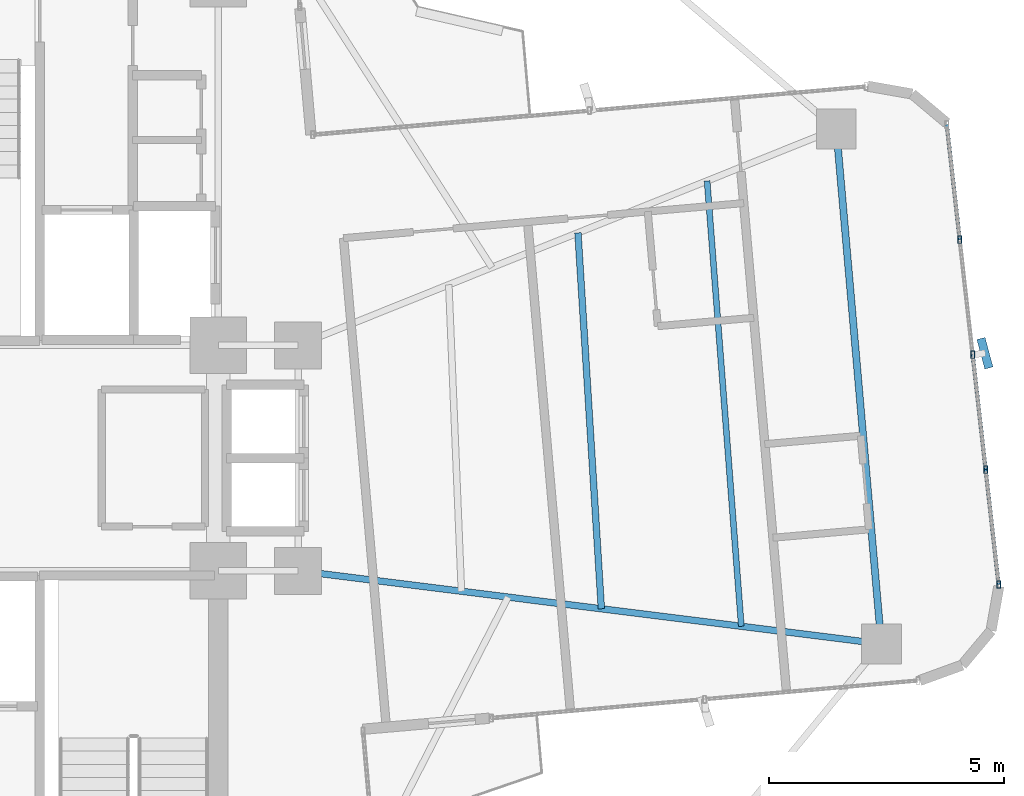
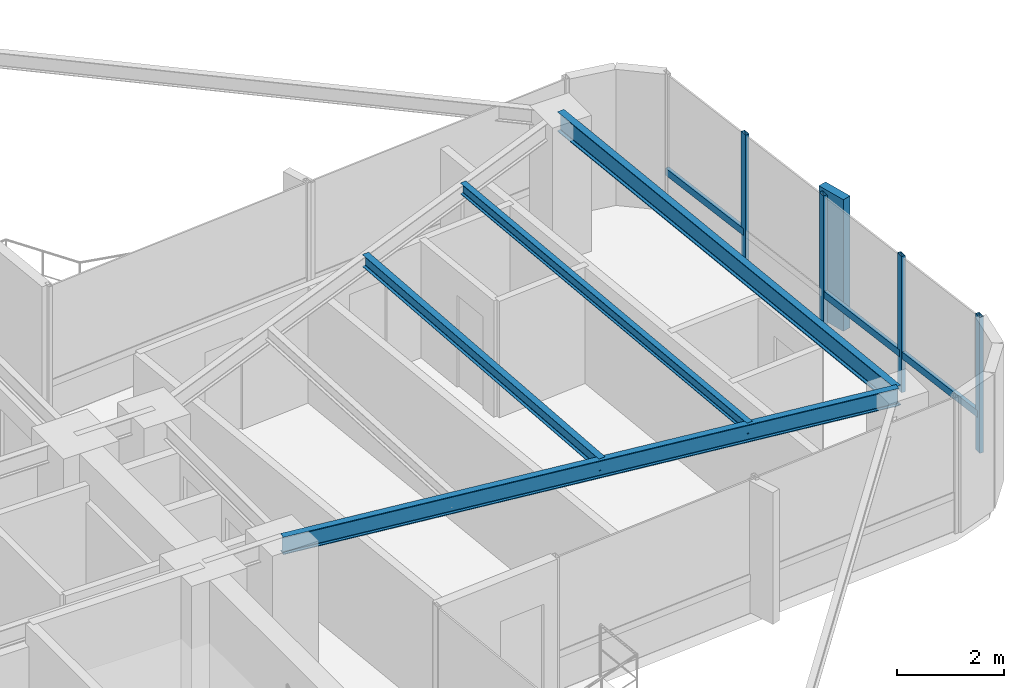
# One storey, part 14 of 24: 8 members, 4 beams, 1 element without a shape of its own.
"""IFC4 building model written with IfcOpenShell, lengths in metres."""

from ifc_helpers import new_model, si_unit, direction, frame, origin, origin_2d, place, context, subcontext, project, spatial, rectangle, hollow_rectangle, i_section, extrude, source, transform, mapped, material, material_profile, profile_set, type_object, element, aggregate, save


model = new_model("IFC4")

# Units and contexts
model_context = context("Model", 3, precision=1e-05, world=origin(), true_north=direction((0.0, 1.0)))
body_context = subcontext(model_context, "Body", "Model", "MODEL_VIEW")
ifc_project = project(units=[si_unit("LENGTHUNIT", "METRE"), si_unit("AREAUNIT", "SQUARE_METRE"), si_unit("VOLUMEUNIT", "CUBIC_METRE"), si_unit("PLANEANGLEUNIT", "RADIAN"), si_unit("MASSUNIT", "GRAM", prefix="KILO")], contexts=[model_context])

# Site, building, storey
site_placement = place(None, origin())
site = spatial("IfcSite", under=ifc_project, at=site_placement, CompositionType="ELEMENT")
building_placement = place(site_placement, origin())
building = spatial("IfcBuilding", under=site, at=building_placement, Name="Sahyath Konkavel Grand Hotel", CompositionType="ELEMENT")
storey_placement = place(building_placement, frame((0.0, 0.0, 153.949951171875)))
storey = spatial("IfcBuildingStorey", under=building, at=storey_placement, Name="L42", CompositionType="ELEMENT", Elevation=153.949951171875)

# Beams
ifc_material_1 = material(Name="Steel E350", Category="steel")
ifc_material_profile_1 = material_profile(ifc_material_1, i_section(OverallWidth=0.139892578125, OverallDepth=0.39990234375, WebThickness=0.0087890625, FlangeThickness=0.01611328125, FilletRadius=0.013916015625, at=origin_2d()), Name="ISMB 400")
ifc_profile_set_1 = profile_set([ifc_material_profile_1], Name="Steel E350")
beam_type_1 = type_object("IfcBeamType", Name="BM-ISMB400", PredefinedType="BEAM", material=ifc_profile_set_1)
shared_shape_1 = source(origin(), body_context, "Body", "SweptSolid", [
    extrude(i_section(OverallWidth=0.139892578125, OverallDepth=0.39990234375, WebThickness=0.0087890625, FlangeThickness=0.01611328125, FilletRadius=0.013916015625, at=origin_2d()), origin(), (0.0, 0.0, 1.0), 12.509765625),
])
beam_1_placement = place(storey_placement, frame((5.5, -2.39990234375, 2.91015625), z_axis=(0.992254740459, -0.124219684578, 0.0), x_axis=(0.124219684578, 0.992254740459, 0.0)))
element("IfcBeam", 1, at=beam_1_placement, inside=storey, type_object=beam_type_1, Name="L42 Cruciform Radial Girder EA", PredefinedType="BEAM", context=body_context, shape_type="MappedRepresentation", body=[
    mapped(shared_shape_1, transform((0.0, 0.0, 0.0), scale=1.0)),
])
ifc_material_profile_2 = material_profile(ifc_material_1, i_section(OverallWidth=0.14990234375, OverallDepth=0.449951171875, WebThickness=0.009521484375, FlangeThickness=0.017333984375, FilletRadius=0.014892578125, at=origin_2d()), Name="ISMB 450")
ifc_profile_set_2 = profile_set([ifc_material_profile_2], Name="Steel E350")
beam_type_2 = type_object("IfcBeamType", Name="BM-ISMB450", PredefinedType="BEAM", material=ifc_profile_set_2)
shared_shape_2 = source(origin(), body_context, "Body", "SweptSolid", [
    extrude(i_section(OverallWidth=0.14990234375, OverallDepth=0.449951171875, WebThickness=0.009521484375, FlangeThickness=0.017333984375, FilletRadius=0.014892578125, at=origin_2d()), origin(), (0.0, 0.0, 1.0), 11.0),
])
beam_2_placement = place(storey_placement, frame((17.912841796875, -3.953857421875, 2.885009765625), z_axis=(-0.087157314015, 0.996194560622, 0.0), x_axis=(-0.996194560622, -0.087157314015, 0.0)))
element("IfcBeam", 2, at=beam_2_placement, inside=storey, type_object=beam_type_2, Name="L42 Wing Tip Edge Beam E", PredefinedType="BEAM", context=body_context, shape_type="MappedRepresentation", body=[
    mapped(shared_shape_2, transform((0.0, 0.0, 0.0), scale=1.0)),
])
ifc_material_profile_3 = material_profile(ifc_material_1, i_section(OverallWidth=0.139892578125, OverallDepth=0.27490234375, WebThickness=0.00634765625, FlangeThickness=0.0087890625, FilletRadius=0.012939453125, at=origin_2d()), Name="ISLB 275")
ifc_profile_set_3 = profile_set([ifc_material_profile_3], Name="Steel E350")
beam_type_3 = type_object("IfcBeamType", Name="BM-ISLB275", PredefinedType="BEAM", material=ifc_profile_set_3)
shared_shape_3 = source(origin(), body_context, "Body", "SweptSolid", [
    extrude(i_section(OverallWidth=0.139892578125, OverallDepth=0.27490234375, WebThickness=0.00634765625, FlangeThickness=0.0087890625, FilletRadius=0.012939453125, at=origin_2d()), origin(), (0.0, 0.0, 1.0), 8.017822265625),
])
beam_3_placement = place(storey_placement, frame((11.95458984375, -3.2080078125, 2.97265625), z_axis=(-0.062179233264, 0.998064999362, 0.0), x_axis=(-0.998064999362, -0.062179233264, 0.0)))
element("IfcBeam", 3, at=beam_3_placement, inside=storey, type_object=beam_type_3, Name="L42 Secondary Floor Beam E-2", PredefinedType="BEAM", context=body_context, shape_type="MappedRepresentation", body=[
    mapped(shared_shape_3, transform((0.0, 0.0, 0.0), scale=1.0)),
])
ifc_material_profile_4 = material_profile(ifc_material_1, i_section(OverallWidth=0.125, OverallDepth=0.25, WebThickness=0.0068359375, FlangeThickness=0.012451171875, FilletRadius=0.012939453125, at=origin_2d()), Name="ISMB 250")
ifc_profile_set_4 = profile_set([ifc_material_profile_4], Name="Steel E350")
beam_type_4 = type_object("IfcBeamType", Name="BM-ISMB250", PredefinedType="BEAM", material=ifc_profile_set_4)
shared_shape_4 = source(origin(), body_context, "Body", "SweptSolid", [
    extrude(i_section(OverallWidth=0.125, OverallDepth=0.25, WebThickness=0.0068359375, FlangeThickness=0.012451171875, FilletRadius=0.012939453125, at=origin_2d()), origin(), (0.0, 0.0, 1.0), 9.508056640625),
])
beam_4_placement = place(storey_placement, frame((14.93359375, -3.580810546875, 2.985107421875), z_axis=(-0.076619921029, 0.997060373148, 0.0), x_axis=(-0.997060373148, -0.076619921029, 0.0)))
element("IfcBeam", 4, at=beam_4_placement, inside=storey, type_object=beam_type_4, Name="L42 Secondary Floor Beam E-3", PredefinedType="BEAM", context=body_context, shape_type="MappedRepresentation", body=[
    mapped(shared_shape_4, transform((0.0, 0.0, 0.0), scale=1.0)),
])

# Curtain wall, members
ifc_material_2 = material(Name="Anodised Bronze Aluminium & Low-E Glazing", Category="aluminium")
curtain_wall_type = type_object("IfcCurtainWallType", Name="CW-ZONE3", PredefinedType="NOTDEFINED", material=ifc_material_2)
curtain_wall_placement = place(storey_placement, origin())
curtain_wall = element("IfcCurtainWall", 5, at=curtain_wall_placement, inside=storey, type_object=curtain_wall_type, Name="L42 Unitised Curtain Wall F4", PredefinedType="NOTDEFINED")
ifc_material_3 = material(Name="Warm Buff Sandstone Cladding on Concrete C50/60", Category="masonry")
ifc_material_profile_5 = material_profile(ifc_material_3, rectangle(XDim=0.179931640625, YDim=0.64990234375, at=origin_2d()), Name="FIN 180x650")
ifc_profile_set_5 = profile_set([ifc_material_profile_5], Name="Warm Buff Sandstone Cladding on Concrete C50/60")
member_type_1 = type_object("IfcMemberType", Name="FIN-SANDSTONE-650", PredefinedType="MULLION", material=ifc_profile_set_5)
shared_shape_5 = source(origin(), body_context, "Body", "SweptSolid", [
    extrude(rectangle(XDim=0.179931640625, YDim=0.64990234375, at=origin_2d()), origin(), (0.0, 0.0, 1.0), 3.010009765625),
])
member_1_placement = place(storey_placement, frame((20.1181640625, 2.23095703125, 0.050048828125), z_axis=(0.0, 0.0, 1.0), x_axis=(0.965744901133, 0.259493325415, 0.0)))
member_1 = element("IfcMember", 6, at=member_1_placement, type_object=member_type_1, Name="L42 Sandstone Vertical Solar Fin FIN F4-2", PredefinedType="MULLION", context=body_context, shape_type="MappedRepresentation", body=[
    mapped(shared_shape_5, transform((0.0, 0.0, 0.0), scale=1.0)),
])
ifc_material_4 = material(Name="Anodised Bronze Aluminium", Category="aluminium")
ifc_material_profile_6 = material_profile(ifc_material_4, hollow_rectangle(XDim=0.080078125, YDim=0.159912109375, WallThickness=0.006103515625, at=origin_2d()), Name="RHS 160x80x6")
ifc_profile_set_6 = profile_set([ifc_material_profile_6], Name="Anodised Bronze Aluminium")
member_type_2 = type_object("IfcMemberType", Name="CW-MUL-160", PredefinedType="MULLION", material=ifc_profile_set_6)
shared_shape_6 = source(origin(), body_context, "Body", "SweptSolid", [
    extrude(hollow_rectangle(XDim=0.080078125, YDim=0.159912109375, WallThickness=0.006103515625, at=origin_2d()), origin(), (0.0, 0.0, 1.0), 3.110107421875),
])
member_2_placement = place(storey_placement, frame((20.4111328125, -2.69140625, 0.0), z_axis=(0.0, 0.0, 1.0), x_axis=(1.0, 0.0, 0.0)))
member_2 = element("IfcMember", 7, at=member_2_placement, type_object=member_type_2, Name="L42 Curtain Wall Mullion F4-0", PredefinedType="MULLION", context=body_context, shape_type="MappedRepresentation", body=[
    mapped(shared_shape_6, transform((0.0, 0.0, 0.0), scale=1.0)),
])
member_3_placement = place(storey_placement, frame((20.135498046875, -0.24462890625, 0.0), z_axis=(0.0, 0.0, 1.0), x_axis=(1.0, 0.0, 0.0)))
member_3 = element("IfcMember", 8, at=member_3_placement, type_object=member_type_2, Name="L42 Curtain Wall Mullion F4-1", PredefinedType="MULLION", context=body_context, shape_type="MappedRepresentation", body=[
    mapped(shared_shape_6, transform((0.0, 0.0, 0.0), scale=1.0)),
])
member_4_placement = place(storey_placement, frame((19.859619140625, 2.201904296875, 0.0), z_axis=(0.0, 0.0, 1.0), x_axis=(1.0, 0.0, 0.0)))
member_4 = element("IfcMember", 9, at=member_4_placement, type_object=member_type_2, Name="L42 Curtain Wall Mullion F4-2", PredefinedType="MULLION", context=body_context, shape_type="MappedRepresentation", body=[
    mapped(shared_shape_6, transform((0.0, 0.0, 0.0), scale=1.0)),
])
member_5_placement = place(storey_placement, frame((19.583984375, 4.648193359375, 0.0), z_axis=(0.0, 0.0, 1.0), x_axis=(1.0, 0.0, 0.0)))
member_5 = element("IfcMember", 10, at=member_5_placement, type_object=member_type_2, Name="L42 Curtain Wall Mullion F4-3", PredefinedType="MULLION", context=body_context, shape_type="MappedRepresentation", body=[
    mapped(shared_shape_6, transform((0.0, 0.0, 0.0), scale=1.0)),
])
ifc_material_profile_7 = material_profile(ifc_material_4, hollow_rectangle(XDim=0.080078125, YDim=0.159912109375, WallThickness=0.006103515625, at=origin_2d()), Name="RHS 160x80x6")
ifc_profile_set_7 = profile_set([ifc_material_profile_7], Name="Anodised Bronze Aluminium")
member_type_3 = type_object("IfcMemberType", Name="CW-TRN-160", PredefinedType="USERDEFINED", material=ifc_profile_set_7)
shared_shape_7 = source(origin(), body_context, "Body", "SweptSolid", [
    extrude(hollow_rectangle(XDim=0.080078125, YDim=0.159912109375, WallThickness=0.006103515625, at=origin_2d()), origin(), (0.0, 0.0, 1.0), 2.462158203125),
])
member_6_placement = place(storey_placement, frame((20.4111328125, -2.69140625, 0.85009765625), z_axis=(-0.11194409079, 0.993714506555, 0.0), x_axis=(-0.993714506555, -0.11194409079, 0.0)))
member_6 = element("IfcMember", 11, at=member_6_placement, type_object=member_type_3, Name="L42 Curtain Wall Transom F4-0-spandrel", ObjectType="TRANSOM", PredefinedType="USERDEFINED", context=body_context, shape_type="MappedRepresentation", body=[
    mapped(shared_shape_7, transform((0.0, 0.0, 0.0), scale=1.0)),
])
member_7_placement = place(storey_placement, frame((20.135498046875, -0.24462890625, 0.85009765625), z_axis=(-0.112053040279, 0.99370222711, 0.0), x_axis=(-0.99370222711, -0.112053040279, 0.0)))
member_7 = element("IfcMember", 12, at=member_7_placement, type_object=member_type_3, Name="L42 Curtain Wall Transom F4-1-spandrel", ObjectType="TRANSOM", PredefinedType="USERDEFINED", context=body_context, shape_type="MappedRepresentation", body=[
    mapped(shared_shape_7, transform((0.0, 0.0, 0.0), scale=1.0)),
])
member_8_placement = place(storey_placement, frame((19.583984375, 4.648193359375, 0.85009765625), z_axis=(-0.11194409079, 0.993714506555, 0.0), x_axis=(-0.993714506555, -0.11194409079, 0.0)))
member_8 = element("IfcMember", 13, at=member_8_placement, type_object=member_type_3, Name="L42 Curtain Wall Transom F4-3-spandrel", ObjectType="TRANSOM", PredefinedType="USERDEFINED", context=body_context, shape_type="MappedRepresentation", body=[
    mapped(shared_shape_7, transform((0.0, 0.0, 0.0), scale=1.0)),
])
aggregate(curtain_wall, [member_2, member_3, member_4, member_1, member_5, member_6, member_7, member_8])

save(model, "model.ifc")
